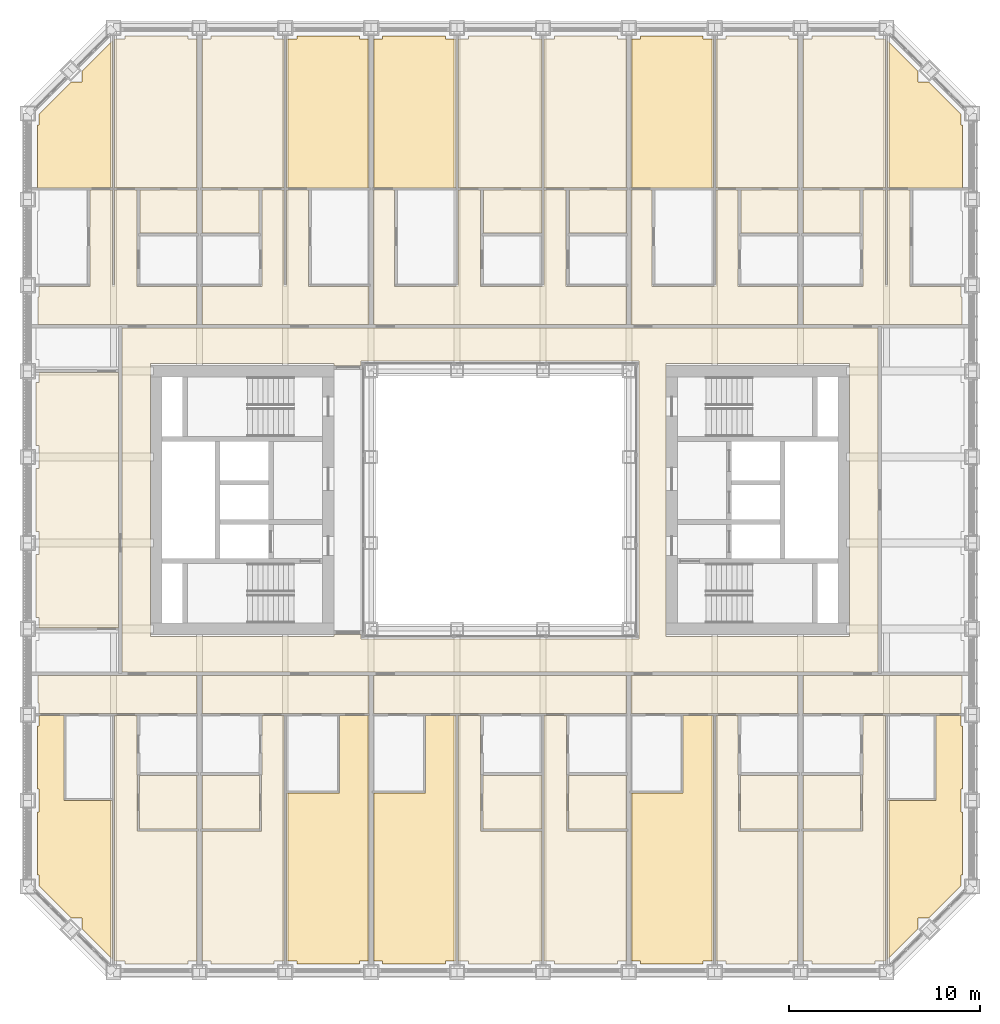
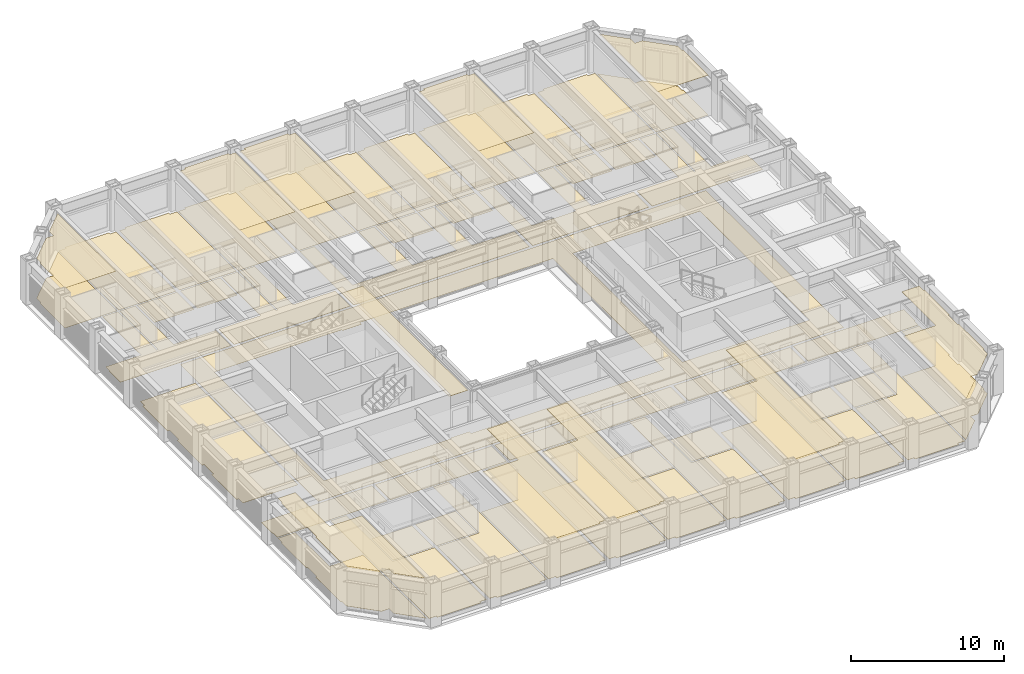
# One storey, part 19 of 21: 3 coverings.
"""IFC4 building model written with IfcOpenShell, lengths in metres."""

from ifc_helpers import new_model, si_unit, direction, frame, origin, place, context, subcontext, project, spatial, line, indexed_curve, outline, extrude, material, layer, layer_set, type_object, element, save


model = new_model("IFC4")

# Units and contexts
model_context = context("Model", 3, precision=1e-05, world=origin(), true_north=direction((0.0, 1.0)))
body_context = subcontext(model_context, "Body", "Model", "MODEL_VIEW")
ifc_project = project(units=[si_unit("LENGTHUNIT", "METRE"), si_unit("AREAUNIT", "SQUARE_METRE"), si_unit("VOLUMEUNIT", "CUBIC_METRE"), si_unit("PLANEANGLEUNIT", "RADIAN"), si_unit("MASSUNIT", "GRAM", prefix="KILO")], contexts=[model_context])

# Site, building, storey
site_placement = place(None, origin())
site = spatial("IfcSite", under=ifc_project, at=site_placement, CompositionType="ELEMENT")
building_placement = place(site_placement, origin())
building = spatial("IfcBuilding", under=site, at=building_placement, Name="Msasa Ring Tower", CompositionType="ELEMENT")
storey_placement = place(building_placement, frame((0.0, 0.0, 47.5)))
storey = spatial("IfcBuildingStorey", under=building, at=storey_placement, Name="L11", CompositionType="ELEMENT", Elevation=47.5)

# Coverings
ifc_material_1 = material(Name="Gypsum plasterboard on a steel suspension grid", Category="steel")
ifc_layer_1 = layer(ifc_material_1, 0.014892578125)
ifc_layer_set_1 = layer_set([ifc_layer_1], Name="C1 SUSPENDED PLASTERBOARD CEILING 15")
covering_type_1 = type_object("IfcCoveringType", Name="C1 SUSPENDED PLASTERBOARD CEILING 15", PredefinedType="CEILING", material=ifc_layer_set_1)
covering_1_placement = place(storey_placement, frame((0.0, 0.0, 3.175048828125)))
element("IfcCovering", 1, at=covering_1_placement, inside=storey, type_object=covering_type_1, Name="Suspended Plasterboard Ceiling 15 public rooms L11", PredefinedType="CEILING", context=body_context, shape_type="SweptSolid", body=[
    extrude(outline(indexed_curve([(-21.8994140625, -22.46337890625), (-21.8994140625, -21.8994140625), (-22.46337890625, -21.8994140625), (-24.1494140625, -20.21337890625), (-24.1494140625, -19.6494140625), (-24.239501953125, -19.6494140625), (-24.239501953125, -16.3505859375), (-24.1494140625, -16.3505859375), (-24.1494140625, -15.1494140625), (-24.239501953125, -15.1494140625), (-24.239501953125, -11.8505859375), (-24.1494140625, -11.8505859375), (-24.1494140625, -11.300537109375), (-22.8505859375, -11.300537109375), (-22.8505859375, -15.74267578125), (-20.404296875, -15.74267578125), (-20.404296875, -23.95849609375)], segments=[line(1, 2, 3, 4, 5, 6, 7, 8, 9, 10, 11, 12, 13, 14, 15, 16, 17, 1)], self_intersect=False)), origin(), (0.0, 0.0, 1.0), 0.014892578125),
    extrude(outline(indexed_curve([(-24.239501953125, 16.35546875), (-24.239501953125, 19.6494140625), (-24.1494140625, 19.6494140625), (-24.1494140625, 20.21337890625), (-22.46337890625, 21.8994140625), (-21.8994140625, 21.8994140625), (-21.8994140625, 22.46337890625), (-20.404296875, 23.95849609375), (-20.404296875, 16.35546875)], segments=[line(1, 2, 3, 4, 5, 6, 7, 8, 9, 1)], self_intersect=False)), origin(), (0.0, 0.0, 1.0), 0.014892578125),
    extrude(outline(indexed_curve([(-8.3994140625, -11.300537109375), (-6.904296875, -11.300537109375), (-6.904296875, -24.1494140625), (-7.3505859375, -24.1494140625), (-7.3505859375, -24.299560546875), (-10.6494140625, -24.299560546875), (-10.6494140625, -24.1494140625), (-11.095703125, -24.1494140625), (-11.095703125, -15.3505859375), (-8.3994140625, -15.3505859375)], segments=[line(1, 2, 3, 4, 5, 6, 7, 8, 9, 10, 1)], self_intersect=False)), origin(), (0.0, 0.0, 1.0), 0.014892578125),
    extrude(outline(indexed_curve([(-11.095703125, 16.35546875), (-11.095703125, 24.1494140625), (-10.6494140625, 24.1494140625), (-10.6494140625, 24.299560546875), (-7.3505859375, 24.299560546875), (-7.3505859375, 24.1494140625), (-6.904296875, 24.1494140625), (-6.904296875, 16.35546875)], segments=[line(1, 2, 3, 4, 5, 6, 7, 8, 1)], self_intersect=False)), origin(), (0.0, 0.0, 1.0), 0.014892578125),
    extrude(outline(indexed_curve([(-8.699462890625, -6.849609375), (-8.699462890625, 6.849609375), (-7.280029296875, 6.849609375), (-7.280029296875, -6.849609375)], segments=[line(1, 2, 3, 4, 1)], self_intersect=False)), origin(), (0.0, 0.0, 1.0), 0.014892578125),
    extrude(outline(indexed_curve([(-2.404296875, -11.300537109375), (-2.404296875, -24.1494140625), (-2.8505859375, -24.1494140625), (-2.8505859375, -24.299560546875), (-6.1494140625, -24.299560546875), (-6.1494140625, -24.1494140625), (-6.595703125, -24.1494140625), (-6.595703125, -15.3505859375), (-3.8994140625, -15.3505859375), (-3.8994140625, -11.300537109375)], segments=[line(1, 2, 3, 4, 5, 6, 7, 8, 9, 10, 1)], self_intersect=False)), origin(), (0.0, 0.0, 1.0), 0.014892578125),
    extrude(outline(indexed_curve([(-6.595703125, 16.35546875), (-6.595703125, 24.1494140625), (-6.1494140625, 24.1494140625), (-6.1494140625, 24.299560546875), (-2.8505859375, 24.299560546875), (-2.8505859375, 24.1494140625), (-2.404296875, 24.1494140625), (-2.404296875, 16.35546875)], segments=[line(1, 2, 3, 4, 5, 6, 7, 8, 1)], self_intersect=False)), origin(), (0.0, 0.0, 1.0), 0.014892578125),
    extrude(outline(indexed_curve([(11.095703125, -11.300537109375), (11.095703125, -24.1494140625), (10.6494140625, -24.1494140625), (10.6494140625, -24.299560546875), (7.3505859375, -24.299560546875), (7.3505859375, -24.1494140625), (6.904296875, -24.1494140625), (6.904296875, -15.3505859375), (9.6005859375, -15.3505859375), (9.6005859375, -11.300537109375)], segments=[line(1, 2, 3, 4, 5, 6, 7, 8, 9, 10, 1)], self_intersect=False)), origin(), (0.0, 0.0, 1.0), 0.014892578125),
    extrude(outline(indexed_curve([(6.904296875, 16.35546875), (6.904296875, 24.1494140625), (7.3505859375, 24.1494140625), (7.3505859375, 24.299560546875), (10.6494140625, 24.299560546875), (10.6494140625, 24.1494140625), (11.095703125, 24.1494140625), (11.095703125, 16.35546875)], segments=[line(1, 2, 3, 4, 5, 6, 7, 8, 1)], self_intersect=False)), origin(), (0.0, 0.0, 1.0), 0.014892578125),
    extrude(outline(indexed_curve([(22.8505859375, -11.300537109375), (24.1494140625, -11.300537109375), (24.1494140625, -11.8505859375), (24.239501953125, -11.8505859375), (24.239501953125, -15.1494140625), (24.1494140625, -15.1494140625), (24.1494140625, -16.3505859375), (24.239501953125, -16.3505859375), (24.239501953125, -19.6494140625), (24.1494140625, -19.6494140625), (24.1494140625, -20.21337890625), (22.46337890625, -21.8994140625), (21.8994140625, -21.8994140625), (21.8994140625, -22.46337890625), (20.404296875, -23.95849609375), (20.404296875, -15.74267578125), (22.8505859375, -15.74267578125)], segments=[line(1, 2, 3, 4, 5, 6, 7, 8, 9, 10, 11, 12, 13, 14, 15, 16, 17, 1)], self_intersect=False)), origin(), (0.0, 0.0, 1.0), 0.014892578125),
    extrude(outline(indexed_curve([(20.404296875, 16.35546875), (20.404296875, 23.95849609375), (21.8994140625, 22.46337890625), (21.8994140625, 21.8994140625), (22.46337890625, 21.8994140625), (24.1494140625, 20.21337890625), (24.1494140625, 19.6494140625), (24.239501953125, 19.6494140625), (24.239501953125, 16.35546875)], segments=[line(1, 2, 3, 4, 5, 6, 7, 8, 9, 1)], self_intersect=False)), origin(), (0.0, 0.0, 1.0), 0.014892578125),
])
ifc_material_2 = material(Name="Wool-blend carpet on felt underlay", Category="textile")
ifc_layer_2 = layer(ifc_material_2, 0.011962890625)
ifc_layer_set_2 = layer_set([ifc_layer_2], Name="F2 CARPET ON UNDERLAY 12")
covering_type_2 = type_object("IfcCoveringType", Name="F2 CARPET ON UNDERLAY 12", PredefinedType="FLOORING", material=ifc_layer_set_2)
covering_2_placement = place(storey_placement, origin())
element("IfcCovering", 2, at=covering_2_placement, inside=storey, type_object=covering_type_2, Name="Carpet On Underlay 12 L11", PredefinedType="FLOORING", context=body_context, shape_type="SweptSolid", body=[
    extrude(outline(indexed_curve([(-24.239501953125, -16.3505859375), (-24.1494140625, -16.3505859375), (-24.1494140625, -15.1494140625), (-24.239501953125, -15.1494140625), (-24.239501953125, -11.8505859375), (-24.1494140625, -11.8505859375), (-24.1494140625, -11.300537109375), (-22.8505859375, -11.300537109375), (-22.8505859375, -15.74267578125), (-20.310546875, -15.74267578125), (-20.310546875, -24.052490234375), (-21.8994140625, -22.46337890625), (-21.8994140625, -21.8994140625), (-22.46337890625, -21.8994140625), (-24.1494140625, -20.21337890625), (-24.1494140625, -19.6494140625), (-24.239501953125, -19.6494140625)], segments=[line(1, 2, 3, 4, 5, 6, 7, 8, 9, 10, 11, 12, 13, 14, 15, 16, 17, 1)], self_intersect=False)), origin(), (0.0, 0.0, 1.0), 0.011962890625),
    extrude(outline(indexed_curve([(-22.46337890625, 21.8994140625), (-21.8994140625, 21.8994140625), (-21.8994140625, 22.46337890625), (-20.310546875, 24.052490234375), (-20.310546875, 16.35546875), (-24.239501953125, 16.35546875), (-24.239501953125, 19.6494140625), (-24.1494140625, 19.6494140625), (-24.1494140625, 20.21337890625)], segments=[line(1, 2, 3, 4, 5, 6, 7, 8, 9, 1)], self_intersect=False)), origin(), (0.0, 0.0, 1.0), 0.011962890625),
    extrude(outline(indexed_curve([(-19.799560546875, -8.99951171875), (-19.799560546875, 8.99951171875), (19.799560546875, 8.99951171875), (19.799560546875, -8.99951171875)], segments=[line(1, 2, 3, 4, 1)], self_intersect=False), holes=[indexed_curve([(18.300537109375, -7.150390625), (18.300537109375, 7.150390625), (8.699462890625, 7.150390625), (8.699462890625, -7.150390625)], segments=[line(1, 2, 3, 4, 1)], self_intersect=False), indexed_curve([(-8.699462890625, 7.150390625), (-18.300537109375, 7.150390625), (-18.300537109375, -7.150390625), (-8.699462890625, -7.150390625), (-8.699462890625, -7.050537109375), (-7.280029296875, -7.050537109375), (-7.275390625, -7.275390625), (-7.22998046875, -7.280029296875), (7.275390625, -7.275390625), (7.275390625, 7.275390625), (-7.22998046875, 7.280029296875), (-7.275390625, 7.275390625), (-7.280029296875, 7.050537109375), (-8.699462890625, 7.050537109375)], segments=[line(1, 2, 3, 4, 5, 6, 7, 8, 9, 10, 11, 12, 13, 14, 1)], self_intersect=False)]), origin(), (0.0, 0.0, 1.0), 0.011962890625),
    extrude(outline(indexed_curve([(-15.87548828125, -14.430419921875), (-15.87548828125, -17.2353515625), (-18.8994140625, -17.2353515625), (-18.8994140625, -14.430419921875)], segments=[line(1, 2, 3, 4, 1)], self_intersect=False)), origin(), (0.0, 0.0, 1.0), 0.011962890625),
    extrude(outline(indexed_curve([(-18.869384765625, 13.98046875), (-18.869384765625, 16.244384765625), (-15.87548828125, 16.244384765625), (-15.87548828125, 13.98046875)], segments=[line(1, 2, 3, 4, 1)], self_intersect=False)), origin(), (0.0, 0.0, 1.0), 0.011962890625),
    extrude(outline(indexed_curve([(-12.6005859375, -17.238037109375), (-15.62451171875, -17.238037109375), (-15.62451171875, -14.430419921875), (-12.6005859375, -14.430419921875)], segments=[line(1, 2, 3, 4, 1)], self_intersect=False)), origin(), (0.0, 0.0, 1.0), 0.011962890625),
    extrude(outline(indexed_curve([(-12.630615234375, 16.244384765625), (-12.630615234375, 13.98046875), (-15.62451171875, 13.98046875), (-15.62451171875, 16.244384765625)], segments=[line(1, 2, 3, 4, 1)], self_intersect=False)), origin(), (0.0, 0.0, 1.0), 0.011962890625),
    extrude(outline(indexed_curve([(-10.6494140625, -24.299560546875), (-10.6494140625, -24.1494140625), (-11.189453125, -24.1494140625), (-11.189453125, -15.3505859375), (-8.3994140625, -15.3505859375), (-8.3994140625, -11.300537109375), (-6.87548828125, -11.300537109375), (-6.87548828125, -24.1494140625), (-7.3505859375, -24.1494140625), (-7.3505859375, -24.299560546875)], segments=[line(1, 2, 3, 4, 5, 6, 7, 8, 9, 10, 1)], self_intersect=False)), origin(), (0.0, 0.0, 1.0), 0.011962890625),
    extrude(outline(indexed_curve([(-7.3505859375, 24.299560546875), (-7.3505859375, 24.1494140625), (-6.87548828125, 24.1494140625), (-6.87548828125, 16.35546875), (-11.189453125, 16.35546875), (-11.189453125, 24.1494140625), (-10.6494140625, 24.1494140625), (-10.6494140625, 24.299560546875)], segments=[line(1, 2, 3, 4, 5, 6, 7, 8, 1)], self_intersect=False)), origin(), (0.0, 0.0, 1.0), 0.011962890625),
    extrude(outline(indexed_curve([(-2.310546875, -24.1494140625), (-2.8505859375, -24.1494140625), (-2.8505859375, -24.299560546875), (-6.1494140625, -24.299560546875), (-6.1494140625, -24.1494140625), (-6.62451171875, -24.1494140625), (-6.62451171875, -15.3505859375), (-3.8994140625, -15.3505859375), (-3.8994140625, -11.300537109375), (-2.310546875, -11.300537109375)], segments=[line(1, 2, 3, 4, 5, 6, 7, 8, 9, 10, 1)], self_intersect=False)), origin(), (0.0, 0.0, 1.0), 0.011962890625),
    extrude(outline(indexed_curve([(-2.8505859375, 24.299560546875), (-2.8505859375, 24.1494140625), (-2.310546875, 24.1494140625), (-2.310546875, 16.35546875), (-6.62451171875, 16.35546875), (-6.62451171875, 24.1494140625), (-6.1494140625, 24.1494140625), (-6.1494140625, 24.299560546875)], segments=[line(1, 2, 3, 4, 5, 6, 7, 8, 1)], self_intersect=False)), origin(), (0.0, 0.0, 1.0), 0.011962890625),
    extrude(outline(indexed_curve([(2.189453125, -17.238037109375), (-0.8994140625, -17.238037109375), (-0.8994140625, -14.430419921875), (2.189453125, -14.430419921875)], segments=[line(1, 2, 3, 4, 1)], self_intersect=False)), origin(), (0.0, 0.0, 1.0), 0.011962890625),
    extrude(outline(indexed_curve([(2.189453125, 16.244384765625), (2.189453125, 13.98046875), (-0.869384765625, 13.98046875), (-0.869384765625, 16.244384765625)], segments=[line(1, 2, 3, 4, 1)], self_intersect=False)), origin(), (0.0, 0.0, 1.0), 0.011962890625),
    extrude(outline(indexed_curve([(6.62451171875, -14.430419921875), (6.62451171875, -17.238037109375), (3.6005859375, -17.238037109375), (3.6005859375, -14.430419921875)], segments=[line(1, 2, 3, 4, 1)], self_intersect=False)), origin(), (0.0, 0.0, 1.0), 0.011962890625),
    extrude(outline(indexed_curve([(3.630615234375, 13.98046875), (3.630615234375, 16.244384765625), (6.62451171875, 16.244384765625), (6.62451171875, 13.98046875)], segments=[line(1, 2, 3, 4, 1)], self_intersect=False)), origin(), (0.0, 0.0, 1.0), 0.011962890625),
    extrude(outline(indexed_curve([(7.3505859375, -24.299560546875), (7.3505859375, -24.1494140625), (6.87548828125, -24.1494140625), (6.87548828125, -15.3505859375), (9.6005859375, -15.3505859375), (9.6005859375, -11.300537109375), (11.189453125, -11.300537109375), (11.189453125, -24.1494140625), (10.6494140625, -24.1494140625), (10.6494140625, -24.299560546875)], segments=[line(1, 2, 3, 4, 5, 6, 7, 8, 9, 10, 1)], self_intersect=False)), origin(), (0.0, 0.0, 1.0), 0.011962890625),
    extrude(outline(indexed_curve([(10.6494140625, 24.299560546875), (10.6494140625, 24.1494140625), (11.189453125, 24.1494140625), (11.189453125, 16.35546875), (6.87548828125, 16.35546875), (6.87548828125, 24.1494140625), (7.3505859375, 24.1494140625), (7.3505859375, 24.299560546875)], segments=[line(1, 2, 3, 4, 5, 6, 7, 8, 1)], self_intersect=False)), origin(), (0.0, 0.0, 1.0), 0.011962890625),
    extrude(outline(indexed_curve([(12.6005859375, -17.238037109375), (12.6005859375, -14.430419921875), (15.62451171875, -14.430419921875), (15.62451171875, -17.238037109375)], segments=[line(1, 2, 3, 4, 1)], self_intersect=False)), origin(), (0.0, 0.0, 1.0), 0.011962890625),
    extrude(outline(indexed_curve([(12.630615234375, 13.98046875), (12.630615234375, 16.244384765625), (15.62451171875, 16.244384765625), (15.62451171875, 13.98046875)], segments=[line(1, 2, 3, 4, 1)], self_intersect=False)), origin(), (0.0, 0.0, 1.0), 0.011962890625),
    extrude(outline(indexed_curve([(18.8994140625, -17.2353515625), (15.87548828125, -17.2353515625), (15.87548828125, -14.430419921875), (18.8994140625, -14.430419921875)], segments=[line(1, 2, 3, 4, 1)], self_intersect=False)), origin(), (0.0, 0.0, 1.0), 0.011962890625),
    extrude(outline(indexed_curve([(18.869384765625, 16.244384765625), (18.869384765625, 13.98046875), (15.87548828125, 13.98046875), (15.87548828125, 16.244384765625)], segments=[line(1, 2, 3, 4, 1)], self_intersect=False)), origin(), (0.0, 0.0, 1.0), 0.011962890625),
    extrude(outline(indexed_curve([(22.46337890625, -21.8994140625), (21.8994140625, -21.8994140625), (21.8994140625, -22.46337890625), (20.310546875, -24.052490234375), (20.310546875, -15.74267578125), (22.8505859375, -15.74267578125), (22.8505859375, -11.300537109375), (24.1494140625, -11.300537109375), (24.1494140625, -11.8505859375), (24.239501953125, -11.8505859375), (24.239501953125, -15.1494140625), (24.1494140625, -15.1494140625), (24.1494140625, -16.3505859375), (24.239501953125, -16.3505859375), (24.239501953125, -19.6494140625), (24.1494140625, -19.6494140625), (24.1494140625, -20.21337890625)], segments=[line(1, 2, 3, 4, 5, 6, 7, 8, 9, 10, 11, 12, 13, 14, 15, 16, 17, 1)], self_intersect=False)), origin(), (0.0, 0.0, 1.0), 0.011962890625),
    extrude(outline(indexed_curve([(21.8994140625, 22.46337890625), (21.8994140625, 21.8994140625), (22.46337890625, 21.8994140625), (24.1494140625, 20.21337890625), (24.1494140625, 19.6494140625), (24.239501953125, 19.6494140625), (24.239501953125, 16.35546875), (20.310546875, 16.35546875), (20.310546875, 24.052490234375)], segments=[line(1, 2, 3, 4, 5, 6, 7, 8, 9, 1)], self_intersect=False)), origin(), (0.0, 0.0, 1.0), 0.011962890625),
])
ifc_material_3 = material(Name="Engineered oak boards on an acoustic underlay", Category="wood")
ifc_layer_3 = layer(ifc_material_3, 0.01806640625)
ifc_layer_set_3 = layer_set([ifc_layer_3], Name="F3 ENGINEERED TIMBER ON ACOUSTIC UNDERLAY 18")
covering_type_3 = type_object("IfcCoveringType", Name="F3 ENGINEERED TIMBER ON ACOUSTIC UNDERLAY 18", PredefinedType="FLOORING", material=ifc_layer_set_3)
covering_3_placement = place(storey_placement, origin())
element("IfcCovering", 3, at=covering_3_placement, inside=storey, type_object=covering_type_3, Name="Engineered Timber On Acoustic Underlay 18 L11", PredefinedType="FLOORING", context=body_context, shape_type="SweptSolid", body=[
    extrude(outline(indexed_curve([(-24.1494140625, -6.694580078125), (-24.1494140625, -6.1494140625), (-24.299560546875, -6.1494140625), (-24.299560546875, -2.8505859375), (-24.1494140625, -2.8505859375), (-24.1494140625, -1.6494140625), (-24.299560546875, -1.6494140625), (-24.299560546875, 1.6494140625), (-24.1494140625, 1.6494140625), (-24.1494140625, 2.8505859375), (-24.299560546875, 2.8505859375), (-24.299560546875, 6.1494140625), (-24.1494140625, 6.1494140625), (-24.1494140625, 6.66943359375), (-20.00048828125, 6.66943359375), (-20.00048828125, -6.694580078125)], segments=[line(1, 2, 3, 4, 5, 6, 7, 8, 9, 10, 11, 12, 13, 14, 15, 16, 1)], self_intersect=False)), origin(), (0.0, 0.0, 1.0), 0.01806640625),
    extrude(outline(indexed_curve([(-15.87548828125, -9.200439453125), (-15.87548828125, -11.199462890625), (-24.1494140625, -11.199462890625), (-24.1494140625, -10.6494140625), (-24.199462890625, -10.6494140625), (-24.199462890625, -9.200439453125)], segments=[line(1, 2, 3, 4, 5, 6, 1)], self_intersect=False)), origin(), (0.0, 0.0, 1.0), 0.01806640625),
    extrude(outline(indexed_curve([(-20.189453125, 16.244384765625), (-19.030517578125, 16.244384765625), (-19.030517578125, 11.199462890625), (-15.87548828125, 11.199462890625), (-15.87548828125, 9.200439453125), (-24.199462890625, 9.200439453125), (-24.199462890625, 10.6494140625), (-24.1494140625, 10.6494140625), (-24.1494140625, 11.199462890625), (-21.469482421875, 11.199462890625), (-21.469482421875, 16.244384765625), (-20.310546875, 16.244384765625), (-20.310546875, 11.199462890625), (-20.189453125, 11.199462890625)], segments=[line(1, 2, 3, 4, 5, 6, 7, 8, 9, 10, 11, 12, 13, 14, 1)], self_intersect=False)), origin(), (0.0, 0.0, 1.0), 0.01806640625),
    extrude(outline(indexed_curve([(-20.189453125, -11.300537109375), (-19.025390625, -11.300537109375), (-19.025390625, -14.39990234375), (-19.00048828125, -14.39990234375), (-19.00048828125, -17.34130859375), (-15.87548828125, -17.34130859375), (-15.87548828125, -24.1494140625), (-16.3505859375, -24.1494140625), (-16.3505859375, -24.299560546875), (-19.6494140625, -24.299560546875), (-19.6494140625, -24.1494140625), (-20.189453125, -24.1494140625)], segments=[line(1, 2, 3, 4, 5, 6, 7, 8, 9, 10, 11, 12, 1)], self_intersect=False)), origin(), (0.0, 0.0, 1.0), 0.01806640625),
    extrude(outline(indexed_curve([(-20.189453125, 24.1494140625), (-19.6494140625, 24.1494140625), (-19.6494140625, 24.299560546875), (-16.3505859375, 24.299560546875), (-16.3505859375, 24.1494140625), (-15.87548828125, 24.1494140625), (-15.87548828125, 16.35546875), (-20.189453125, 16.35546875)], segments=[line(1, 2, 3, 4, 5, 6, 7, 8, 1)], self_intersect=False)), origin(), (0.0, 0.0, 1.0), 0.01806640625),
    extrude(outline(indexed_curve([(-11.310546875, -24.1494140625), (-11.8505859375, -24.1494140625), (-11.8505859375, -24.299560546875), (-15.1494140625, -24.299560546875), (-15.1494140625, -24.1494140625), (-15.62451171875, -24.1494140625), (-15.62451171875, -17.343994140625), (-12.49951171875, -17.343994140625), (-12.49951171875, -14.39990234375), (-12.474609375, -14.39990234375), (-12.474609375, -11.300537109375), (-11.310546875, -11.300537109375)], segments=[line(1, 2, 3, 4, 5, 6, 7, 8, 9, 10, 11, 12, 1)], self_intersect=False)), origin(), (0.0, 0.0, 1.0), 0.01806640625),
    extrude(outline(indexed_curve([(-15.62451171875, -11.199462890625), (-15.62451171875, -9.200439453125), (-6.87548828125, -9.200439453125), (-6.87548828125, -11.199462890625)], segments=[line(1, 2, 3, 4, 1)], self_intersect=False)), origin(), (0.0, 0.0, 1.0), 0.01806640625),
    extrude(outline(indexed_curve([(-11.189453125, 16.244384765625), (-10.030517578125, 16.244384765625), (-10.030517578125, 11.199462890625), (-6.87548828125, 11.199462890625), (-6.87548828125, 9.200439453125), (-15.62451171875, 9.200439453125), (-15.62451171875, 11.199462890625), (-12.469482421875, 11.199462890625), (-12.469482421875, 16.244384765625), (-11.310546875, 16.244384765625), (-11.310546875, 11.199462890625), (-11.189453125, 11.199462890625)], segments=[line(1, 2, 3, 4, 5, 6, 7, 8, 9, 10, 11, 12, 1)], self_intersect=False)), origin(), (0.0, 0.0, 1.0), 0.01806640625),
    extrude(outline(indexed_curve([(-11.8505859375, 24.299560546875), (-11.8505859375, 24.1494140625), (-11.310546875, 24.1494140625), (-11.310546875, 16.35546875), (-15.62451171875, 16.35546875), (-15.62451171875, 24.1494140625), (-15.1494140625, 24.1494140625), (-15.1494140625, 24.299560546875)], segments=[line(1, 2, 3, 4, 5, 6, 7, 8, 1)], self_intersect=False)), origin(), (0.0, 0.0, 1.0), 0.01806640625),
    extrude(outline(indexed_curve([(-6.62451171875, -11.199462890625), (-6.62451171875, -9.200439453125), (6.62451171875, -9.200439453125), (6.62451171875, -11.199462890625)], segments=[line(1, 2, 3, 4, 1)], self_intersect=False)), origin(), (0.0, 0.0, 1.0), 0.01806640625),
    extrude(outline(indexed_curve([(-2.189453125, 16.244384765625), (-1.030517578125, 16.244384765625), (-1.030517578125, 11.199462890625), (2.310546875, 11.199462890625), (2.310546875, 16.244384765625), (3.469482421875, 16.244384765625), (3.469482421875, 11.199462890625), (6.62451171875, 11.199462890625), (6.62451171875, 9.200439453125), (-6.62451171875, 9.200439453125), (-6.62451171875, 16.244384765625), (-5.530517578125, 16.244384765625), (-5.530517578125, 11.199462890625), (-2.189453125, 11.199462890625)], segments=[line(1, 2, 3, 4, 5, 6, 7, 8, 9, 10, 11, 12, 13, 14, 1)], self_intersect=False)), origin(), (0.0, 0.0, 1.0), 0.01806640625),
    extrude(outline(indexed_curve([(-1.025390625, -11.300537109375), (-1.025390625, -14.39990234375), (-1.00048828125, -14.39990234375), (-1.00048828125, -17.343994140625), (2.189453125, -17.343994140625), (2.189453125, -24.1494140625), (1.6494140625, -24.1494140625), (1.6494140625, -24.299560546875), (-1.6494140625, -24.299560546875), (-1.6494140625, -24.1494140625), (-2.189453125, -24.1494140625), (-2.189453125, -11.300537109375)], segments=[line(1, 2, 3, 4, 5, 6, 7, 8, 9, 10, 11, 12, 1)], self_intersect=False)), origin(), (0.0, 0.0, 1.0), 0.01806640625),
    extrude(outline(indexed_curve([(-2.189453125, 24.1494140625), (-1.6494140625, 24.1494140625), (-1.6494140625, 24.299560546875), (1.6494140625, 24.299560546875), (1.6494140625, 24.1494140625), (2.189453125, 24.1494140625), (2.189453125, 16.35546875), (-2.189453125, 16.35546875)], segments=[line(1, 2, 3, 4, 5, 6, 7, 8, 1)], self_intersect=False)), origin(), (0.0, 0.0, 1.0), 0.01806640625),
    extrude(outline(indexed_curve([(3.474609375, -11.300537109375), (3.474609375, -14.39990234375), (3.49951171875, -14.39990234375), (3.49951171875, -17.343994140625), (6.62451171875, -17.343994140625), (6.62451171875, -24.1494140625), (6.1494140625, -24.1494140625), (6.1494140625, -24.299560546875), (2.8505859375, -24.299560546875), (2.8505859375, -24.1494140625), (2.310546875, -24.1494140625), (2.310546875, -11.300537109375)], segments=[line(1, 2, 3, 4, 5, 6, 7, 8, 9, 10, 11, 12, 1)], self_intersect=False)), origin(), (0.0, 0.0, 1.0), 0.01806640625),
    extrude(outline(indexed_curve([(2.310546875, 24.1494140625), (2.8505859375, 24.1494140625), (2.8505859375, 24.299560546875), (6.1494140625, 24.299560546875), (6.1494140625, 24.1494140625), (6.62451171875, 24.1494140625), (6.62451171875, 16.35546875), (2.310546875, 16.35546875)], segments=[line(1, 2, 3, 4, 5, 6, 7, 8, 1)], self_intersect=False)), origin(), (0.0, 0.0, 1.0), 0.01806640625),
    extrude(outline(indexed_curve([(6.87548828125, -11.199462890625), (6.87548828125, -9.200439453125), (15.62451171875, -9.200439453125), (15.62451171875, -11.199462890625)], segments=[line(1, 2, 3, 4, 1)], self_intersect=False)), origin(), (0.0, 0.0, 1.0), 0.01806640625),
    extrude(outline(indexed_curve([(11.310546875, 16.244384765625), (12.469482421875, 16.244384765625), (12.469482421875, 11.199462890625), (15.62451171875, 11.199462890625), (15.62451171875, 9.200439453125), (6.87548828125, 9.200439453125), (6.87548828125, 16.244384765625), (7.969482421875, 16.244384765625), (7.969482421875, 11.199462890625), (11.310546875, 11.199462890625)], segments=[line(1, 2, 3, 4, 5, 6, 7, 8, 9, 10, 1)], self_intersect=False)), origin(), (0.0, 0.0, 1.0), 0.01806640625),
    extrude(outline(indexed_curve([(11.310546875, -11.300537109375), (12.474609375, -11.300537109375), (12.474609375, -14.39990234375), (12.49951171875, -14.39990234375), (12.49951171875, -17.343994140625), (15.62451171875, -17.343994140625), (15.62451171875, -24.1494140625), (15.1494140625, -24.1494140625), (15.1494140625, -24.299560546875), (11.8505859375, -24.299560546875), (11.8505859375, -24.1494140625), (11.310546875, -24.1494140625)], segments=[line(1, 2, 3, 4, 5, 6, 7, 8, 9, 10, 11, 12, 1)], self_intersect=False)), origin(), (0.0, 0.0, 1.0), 0.01806640625),
    extrude(outline(indexed_curve([(15.1494140625, 24.299560546875), (15.1494140625, 24.1494140625), (15.62451171875, 24.1494140625), (15.62451171875, 16.35546875), (11.310546875, 16.35546875), (11.310546875, 24.1494140625), (11.8505859375, 24.1494140625), (11.8505859375, 24.299560546875)], segments=[line(1, 2, 3, 4, 5, 6, 7, 8, 1)], self_intersect=False)), origin(), (0.0, 0.0, 1.0), 0.01806640625),
    extrude(outline(indexed_curve([(20.189453125, -24.1494140625), (19.6494140625, -24.1494140625), (19.6494140625, -24.299560546875), (16.3505859375, -24.299560546875), (16.3505859375, -24.1494140625), (15.87548828125, -24.1494140625), (15.87548828125, -17.34130859375), (19.00048828125, -17.34130859375), (19.00048828125, -14.39990234375), (19.025390625, -14.39990234375), (19.025390625, -11.300537109375), (20.189453125, -11.300537109375)], segments=[line(1, 2, 3, 4, 5, 6, 7, 8, 9, 10, 11, 12, 1)], self_intersect=False)), origin(), (0.0, 0.0, 1.0), 0.01806640625),
    extrude(outline(indexed_curve([(24.199462890625, -9.200439453125), (24.199462890625, -10.6494140625), (24.1494140625, -10.6494140625), (24.1494140625, -11.199462890625), (15.87548828125, -11.199462890625), (15.87548828125, -9.200439453125)], segments=[line(1, 2, 3, 4, 5, 6, 1)], self_intersect=False)), origin(), (0.0, 0.0, 1.0), 0.01806640625),
    extrude(outline(indexed_curve([(20.310546875, 16.244384765625), (21.469482421875, 16.244384765625), (21.469482421875, 11.199462890625), (24.1494140625, 11.199462890625), (24.1494140625, 10.6494140625), (24.199462890625, 10.6494140625), (24.199462890625, 9.200439453125), (15.87548828125, 9.200439453125), (15.87548828125, 11.199462890625), (19.030517578125, 11.199462890625), (19.030517578125, 16.244384765625), (20.189453125, 16.244384765625), (20.189453125, 11.199462890625), (20.310546875, 11.199462890625)], segments=[line(1, 2, 3, 4, 5, 6, 7, 8, 9, 10, 11, 12, 13, 14, 1)], self_intersect=False)), origin(), (0.0, 0.0, 1.0), 0.01806640625),
    extrude(outline(indexed_curve([(19.6494140625, 24.299560546875), (19.6494140625, 24.1494140625), (20.189453125, 24.1494140625), (20.189453125, 16.35546875), (15.87548828125, 16.35546875), (15.87548828125, 24.1494140625), (16.3505859375, 24.1494140625), (16.3505859375, 24.299560546875)], segments=[line(1, 2, 3, 4, 5, 6, 7, 8, 1)], self_intersect=False)), origin(), (0.0, 0.0, 1.0), 0.01806640625),
])

save(model, "model.ifc")
